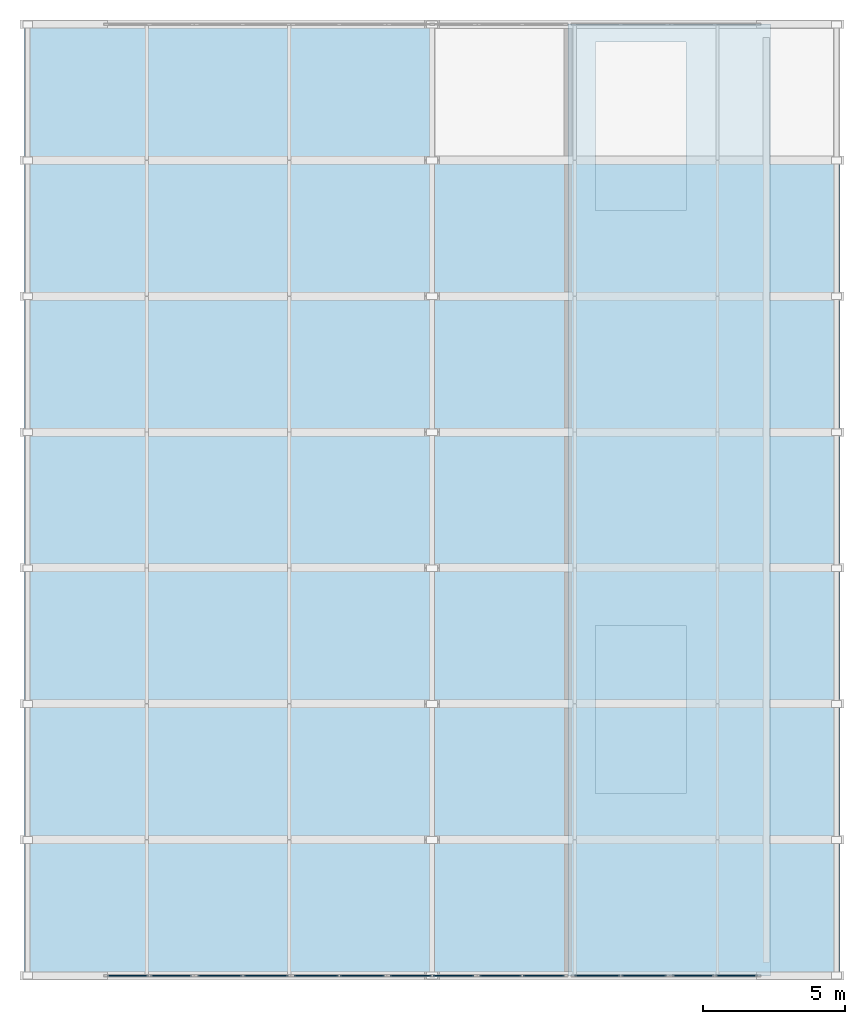
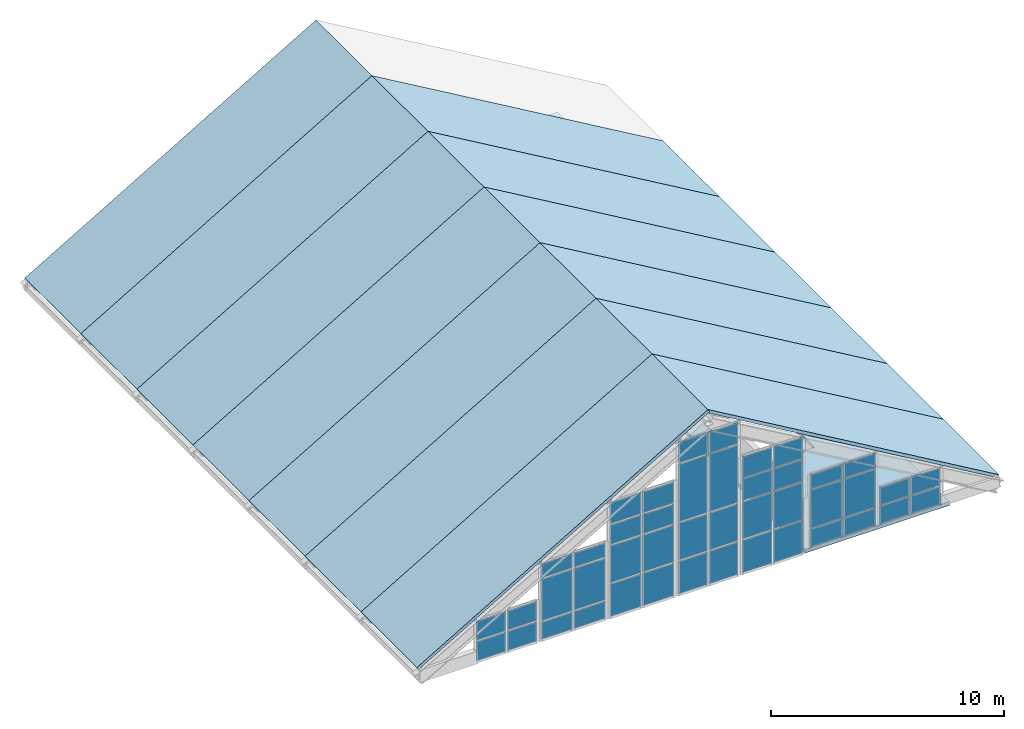
# One storey, part 5 of 7: 44 plates, 14 slabs, 7 elements without a shape of their own.
"""IFC4 building model written with IfcOpenShell, lengths in metres."""

from ifc_helpers import new_model, si_unit, direction, frame, origin, origin_2d, place, context, subcontext, project, spatial, polyline, rectangle, outline, extrude, material, layer, layer_set, type_object, element, aggregate, save


model = new_model("IFC4")

# Units and contexts
model_context = context("Model", 3, precision=1e-05, world=origin(), true_north=direction((0.0, 1.0)))
body_context = subcontext(model_context, "Body", "Model", "MODEL_VIEW")
ifc_project = project(units=[si_unit("LENGTHUNIT", "METRE"), si_unit("AREAUNIT", "SQUARE_METRE"), si_unit("VOLUMEUNIT", "CUBIC_METRE"), si_unit("PLANEANGLEUNIT", "RADIAN"), si_unit("MASSUNIT", "GRAM", prefix="KILO")], contexts=[model_context])

# Site, building, storey
site_placement = place(None, origin())
site = spatial("IfcSite", under=ifc_project, at=site_placement, CompositionType="ELEMENT")
building_placement = place(site_placement, origin())
building = spatial("IfcBuilding", under=site, at=building_placement, Name="Nordkorset Police Headquarters", CompositionType="ELEMENT")
storey_placement = place(building_placement, frame((0.0, 0.0, 36.050048828125)))
storey = spatial("IfcBuildingStorey", under=building, at=storey_placement, Name="RF", CompositionType="ELEMENT", Elevation=36.050048828125)

# Curtain wall, plates
ifc_material_1 = material(Name="Aluminium alloy AW-6060", Category="aluminium")
ifc_layer_1 = layer(ifc_material_1, 0.179931640625, Name="Aluminium alloy AW-6060")
ifc_layer_set_1 = layer_set([ifc_layer_1], Name="Aluminium alloy AW-6060")
curtain_wall_type_1 = type_object("IfcCurtainWallType", Name="CW_Unit_312x221", PredefinedType="USERDEFINED", material=ifc_layer_set_1)
curtain_wall_1_placement = place(storey_placement, origin())
curtain_wall_1 = element("IfcCurtainWall", 1, at=curtain_wall_1_placement, inside=storey, type_object=curtain_wall_type_1, Name="Unitised Curtain Wall RF V1GBL-S-G1", ObjectType="UNITISED CURTAIN WALL", PredefinedType="USERDEFINED")
ifc_material_2 = material(Name="Low-iron triple glazing", Category="glass")
ifc_layer_2 = layer(ifc_material_2, 0.035888671875, Name="Low-iron triple glazing")
ifc_layer_set_2 = layer_set([ifc_layer_2], Name="Low-iron triple glazing")
plate_type = type_object("IfcPlateType", Name="CW_Panel_TripleGlazing_36", PredefinedType="CURTAIN_PANEL", material=ifc_layer_set_2)
plate_1_placement = place(storey_placement, frame((3.65625, 83.199951171875, -0.125), z_axis=(0.0, 0.0, 1.0), x_axis=(1.0, 0.0, 0.0)))
plate_1 = element("IfcPlate", 2, at=plate_1_placement, type_object=plate_type, Name="CW-43 panel 1.1", PredefinedType="CURTAIN_PANEL", context=body_context, shape_type="SweptSolid", body=[
    extrude(rectangle(XDim=1.46240234375, YDim=0.035888671875, at=origin_2d()), origin(), (0.0, 0.0, 1.0), 1.00830078125),
])
plate_2_placement = place(storey_placement, frame((3.65625, 83.199951171875, 0.9482421875), z_axis=(0.0, 0.0, 1.0), x_axis=(1.0, 0.0, 0.0)))
plate_2 = element("IfcPlate", 3, at=plate_2_placement, type_object=plate_type, Name="CW-43 panel 1.2", PredefinedType="CURTAIN_PANEL", context=body_context, shape_type="SweptSolid", body=[
    extrude(rectangle(XDim=1.46240234375, YDim=0.035888671875, at=origin_2d()), origin(), (0.0, 0.0, 1.0), 1.00830078125),
])
plate_3_placement = place(storey_placement, frame((5.183837890625, 83.199951171875, -0.125), z_axis=(0.0, 0.0, 1.0), x_axis=(1.0, 0.0, 0.0)))
plate_3 = element("IfcPlate", 4, at=plate_3_placement, type_object=plate_type, Name="CW-43 panel 2.1", PredefinedType="CURTAIN_PANEL", context=body_context, shape_type="SweptSolid", body=[
    extrude(rectangle(XDim=1.46240234375, YDim=0.035888671875, at=origin_2d()), origin(), (0.0, 0.0, 1.0), 1.00830078125),
])
plate_4_placement = place(storey_placement, frame((5.183837890625, 83.199951171875, 0.9482421875), z_axis=(0.0, 0.0, 1.0), x_axis=(1.0, 0.0, 0.0)))
plate_4 = element("IfcPlate", 5, at=plate_4_placement, type_object=plate_type, Name="CW-43 panel 2.2", PredefinedType="CURTAIN_PANEL", context=body_context, shape_type="SweptSolid", body=[
    extrude(rectangle(XDim=1.46240234375, YDim=0.035888671875, at=origin_2d()), origin(), (0.0, 0.0, 1.0), 1.00830078125),
])
aggregate(curtain_wall_1, [plate_1, plate_2, plate_3, plate_4])

ifc_material_3 = material(Name="Aluminium alloy AW-6060", Category="aluminium")
ifc_layer_3 = layer(ifc_material_3, 0.179931640625, Name="Aluminium alloy AW-6060")
ifc_layer_set_3 = layer_set([ifc_layer_3], Name="Aluminium alloy AW-6060")
curtain_wall_type_2 = type_object("IfcCurtainWallType", Name="CW_Unit_332x409", PredefinedType="USERDEFINED", material=ifc_layer_set_3)
curtain_wall_2_placement = place(storey_placement, origin())
curtain_wall_2 = element("IfcCurtainWall", 6, at=curtain_wall_2_placement, inside=storey, type_object=curtain_wall_type_2, Name="Unitised Curtain Wall RF V1GBL-S-G2", ObjectType="UNITISED CURTAIN WALL", PredefinedType="USERDEFINED")
plate_5_placement = place(storey_placement, frame((6.90625, 83.199951171875, -0.125), z_axis=(0.0, 0.0, 1.0), x_axis=(1.0, 0.0, 0.0)))
plate_5 = element("IfcPlate", 7, at=plate_5_placement, type_object=plate_type, Name="CW-37 panel 1.1", PredefinedType="CURTAIN_PANEL", context=body_context, shape_type="SweptSolid", body=[
    extrude(rectangle(XDim=1.5625, YDim=0.035888671875, at=origin_2d()), origin(), (0.0, 0.0, 1.0), 0.902587890625),
])
plate_6_placement = place(storey_placement, frame((6.90625, 83.199951171875, 0.842529296875), z_axis=(0.0, 0.0, 1.0), x_axis=(1.0, 0.0, 0.0)))
plate_6 = element("IfcPlate", 8, at=plate_6_placement, type_object=plate_type, Name="CW-37 panel 1.2", PredefinedType="CURTAIN_PANEL", context=body_context, shape_type="SweptSolid", body=[
    extrude(rectangle(XDim=1.5625, YDim=0.035888671875, at=origin_2d()), origin(), (0.0, 0.0, 1.0), 2.17431640625),
])
plate_7_placement = place(storey_placement, frame((6.90625, 83.199951171875, 3.081787109375), z_axis=(0.0, 0.0, 1.0), x_axis=(1.0, 0.0, 0.0)))
plate_7 = element("IfcPlate", 9, at=plate_7_placement, type_object=plate_type, Name="CW-37 panel 1.3", PredefinedType="CURTAIN_PANEL", context=body_context, shape_type="SweptSolid", body=[
    extrude(rectangle(XDim=1.5625, YDim=0.035888671875, at=origin_2d()), origin(), (0.0, 0.0, 1.0), 0.75244140625),
])
plate_8_placement = place(storey_placement, frame((8.53369140625, 83.199951171875, -0.125), z_axis=(0.0, 0.0, 1.0), x_axis=(1.0, 0.0, 0.0)))
plate_8 = element("IfcPlate", 10, at=plate_8_placement, type_object=plate_type, Name="CW-37 panel 2.1", PredefinedType="CURTAIN_PANEL", context=body_context, shape_type="SweptSolid", body=[
    extrude(rectangle(XDim=1.5625, YDim=0.035888671875, at=origin_2d()), origin(), (0.0, 0.0, 1.0), 0.902587890625),
])
plate_9_placement = place(storey_placement, frame((8.53369140625, 83.199951171875, 0.842529296875), z_axis=(0.0, 0.0, 1.0), x_axis=(1.0, 0.0, 0.0)))
plate_9 = element("IfcPlate", 11, at=plate_9_placement, type_object=plate_type, Name="CW-37 panel 2.2", PredefinedType="CURTAIN_PANEL", context=body_context, shape_type="SweptSolid", body=[
    extrude(rectangle(XDim=1.5625, YDim=0.035888671875, at=origin_2d()), origin(), (0.0, 0.0, 1.0), 2.17431640625),
])
plate_10_placement = place(storey_placement, frame((8.53369140625, 83.199951171875, 3.081787109375), z_axis=(0.0, 0.0, 1.0), x_axis=(1.0, 0.0, 0.0)))
plate_10 = element("IfcPlate", 12, at=plate_10_placement, type_object=plate_type, Name="CW-37 panel 2.3", PredefinedType="CURTAIN_PANEL", context=body_context, shape_type="SweptSolid", body=[
    extrude(rectangle(XDim=1.5625, YDim=0.035888671875, at=origin_2d()), origin(), (0.0, 0.0, 1.0), 0.75244140625),
])
aggregate(curtain_wall_2, [plate_5, plate_6, plate_7, plate_8, plate_9, plate_10])

ifc_material_4 = material(Name="Aluminium alloy AW-6060", Category="aluminium")
ifc_layer_4 = layer(ifc_material_4, 0.179931640625, Name="Aluminium alloy AW-6060")
ifc_layer_set_4 = layer_set([ifc_layer_4], Name="Aluminium alloy AW-6060")
curtain_wall_type_3 = type_object("IfcCurtainWallType", Name="CW_Unit_332x608", PredefinedType="USERDEFINED", material=ifc_layer_set_4)
curtain_wall_3_placement = place(storey_placement, origin())
curtain_wall_3 = element("IfcCurtainWall", 13, at=curtain_wall_3_placement, inside=storey, type_object=curtain_wall_type_3, Name="Unitised Curtain Wall RF V1GBL-S-G3", ObjectType="UNITISED CURTAIN WALL", PredefinedType="USERDEFINED")
plate_11_placement = place(storey_placement, frame((10.30615234375, 83.199951171875, -0.125), z_axis=(0.0, 0.0, 1.0), x_axis=(1.0, 0.0, 0.0)))
plate_11 = element("IfcPlate", 14, at=plate_11_placement, type_object=plate_type, Name="CW-15 panel 1.1", PredefinedType="CURTAIN_PANEL", context=body_context, shape_type="SweptSolid", body=[
    extrude(rectangle(XDim=1.5625, YDim=0.035888671875, at=origin_2d()), origin(), (0.0, 0.0, 1.0), 1.702392578125),
])
plate_12_placement = place(storey_placement, frame((10.30615234375, 83.199951171875, 1.642333984375), z_axis=(0.0, 0.0, 1.0), x_axis=(1.0, 0.0, 0.0)))
plate_12 = element("IfcPlate", 15, at=plate_12_placement, type_object=plate_type, Name="CW-15 panel 1.2", PredefinedType="CURTAIN_PANEL", context=body_context, shape_type="SweptSolid", body=[
    extrude(rectangle(XDim=1.5625, YDim=0.035888671875, at=origin_2d()), origin(), (0.0, 0.0, 1.0), 1.93505859375),
])
plate_13_placement = place(storey_placement, frame((10.30615234375, 83.199951171875, 3.642578125), z_axis=(0.0, 0.0, 1.0), x_axis=(1.0, 0.0, 0.0)))
plate_13 = element("IfcPlate", 16, at=plate_13_placement, type_object=plate_type, Name="CW-15 panel 1.3", PredefinedType="CURTAIN_PANEL", context=body_context, shape_type="SweptSolid", body=[
    extrude(rectangle(XDim=1.5625, YDim=0.035888671875, at=origin_2d()), origin(), (0.0, 0.0, 1.0), 1.019287109375),
])
plate_14_placement = place(storey_placement, frame((10.30615234375, 83.199951171875, 4.726806640625), z_axis=(0.0, 0.0, 1.0), x_axis=(1.0, 0.0, 0.0)))
plate_14 = element("IfcPlate", 17, at=plate_14_placement, type_object=plate_type, Name="CW-15 panel 1.4", PredefinedType="CURTAIN_PANEL", context=body_context, shape_type="SweptSolid", body=[
    extrude(rectangle(XDim=1.5625, YDim=0.035888671875, at=origin_2d()), origin(), (0.0, 0.0, 1.0), 1.1025390625),
])
plate_15_placement = place(storey_placement, frame((11.933837890625, 83.199951171875, -0.125), z_axis=(0.0, 0.0, 1.0), x_axis=(1.0, 0.0, 0.0)))
plate_15 = element("IfcPlate", 18, at=plate_15_placement, type_object=plate_type, Name="CW-15 panel 2.1", PredefinedType="CURTAIN_PANEL", context=body_context, shape_type="SweptSolid", body=[
    extrude(rectangle(XDim=1.5625, YDim=0.035888671875, at=origin_2d()), origin(), (0.0, 0.0, 1.0), 1.702392578125),
])
plate_16_placement = place(storey_placement, frame((11.933837890625, 83.199951171875, 1.642333984375), z_axis=(0.0, 0.0, 1.0), x_axis=(1.0, 0.0, 0.0)))
plate_16 = element("IfcPlate", 19, at=plate_16_placement, type_object=plate_type, Name="CW-15 panel 2.2", PredefinedType="CURTAIN_PANEL", context=body_context, shape_type="SweptSolid", body=[
    extrude(rectangle(XDim=1.5625, YDim=0.035888671875, at=origin_2d()), origin(), (0.0, 0.0, 1.0), 1.93505859375),
])
plate_17_placement = place(storey_placement, frame((11.933837890625, 83.199951171875, 3.642578125), z_axis=(0.0, 0.0, 1.0), x_axis=(1.0, 0.0, 0.0)))
plate_17 = element("IfcPlate", 20, at=plate_17_placement, type_object=plate_type, Name="CW-15 panel 2.3", PredefinedType="CURTAIN_PANEL", context=body_context, shape_type="SweptSolid", body=[
    extrude(rectangle(XDim=1.5625, YDim=0.035888671875, at=origin_2d()), origin(), (0.0, 0.0, 1.0), 1.019287109375),
])
plate_18_placement = place(storey_placement, frame((11.933837890625, 83.199951171875, 4.726806640625), z_axis=(0.0, 0.0, 1.0), x_axis=(1.0, 0.0, 0.0)))
plate_18 = element("IfcPlate", 21, at=plate_18_placement, type_object=plate_type, Name="CW-15 panel 2.4", PredefinedType="CURTAIN_PANEL", context=body_context, shape_type="SweptSolid", body=[
    extrude(rectangle(XDim=1.5625, YDim=0.035888671875, at=origin_2d()), origin(), (0.0, 0.0, 1.0), 1.1025390625),
])
aggregate(curtain_wall_3, [plate_11, plate_12, plate_13, plate_14, plate_15, plate_16, plate_17, plate_18])

ifc_material_5 = material(Name="Aluminium alloy AW-6060", Category="aluminium")
ifc_layer_5 = layer(ifc_material_5, 0.179931640625, Name="Aluminium alloy AW-6060")
ifc_layer_set_5 = layer_set([ifc_layer_5], Name="Aluminium alloy AW-6060")
curtain_wall_type_4 = type_object("IfcCurtainWallType", Name="CW_Unit_308x808", PredefinedType="USERDEFINED", material=ifc_layer_set_5)
curtain_wall_4_placement = place(storey_placement, origin())
curtain_wall_4 = element("IfcCurtainWall", 22, at=curtain_wall_4_placement, inside=storey, type_object=curtain_wall_type_4, Name="Unitised Curtain Wall RF V1GBL-S-G4", ObjectType="UNITISED CURTAIN WALL", PredefinedType="USERDEFINED")
plate_19_placement = place(storey_placement, frame((13.646240234375, 83.199951171875, -0.125), z_axis=(0.0, 0.0, 1.0), x_axis=(1.0, 0.0, 0.0)))
plate_19 = element("IfcPlate", 23, at=plate_19_placement, type_object=plate_type, Name="CW-30 panel 1.1", PredefinedType="CURTAIN_PANEL", context=body_context, shape_type="SweptSolid", body=[
    extrude(rectangle(XDim=1.4423828125, YDim=0.035888671875, at=origin_2d()), origin(), (0.0, 0.0, 1.0), 1.702392578125),
])
plate_20_placement = place(storey_placement, frame((13.646240234375, 83.199951171875, 1.642333984375), z_axis=(0.0, 0.0, 1.0), x_axis=(1.0, 0.0, 0.0)))
plate_20 = element("IfcPlate", 24, at=plate_20_placement, type_object=plate_type, Name="CW-30 panel 1.2", PredefinedType="CURTAIN_PANEL", context=body_context, shape_type="SweptSolid", body=[
    extrude(rectangle(XDim=1.4423828125, YDim=0.035888671875, at=origin_2d()), origin(), (0.0, 0.0, 1.0), 1.93505859375),
])
plate_21_placement = place(storey_placement, frame((13.646240234375, 83.199951171875, 3.642333984375), z_axis=(0.0, 0.0, 1.0), x_axis=(1.0, 0.0, 0.0)))
plate_21 = element("IfcPlate", 25, at=plate_21_placement, type_object=plate_type, Name="CW-30 panel 1.3", PredefinedType="CURTAIN_PANEL", context=body_context, shape_type="SweptSolid", body=[
    extrude(rectangle(XDim=1.4423828125, YDim=0.035888671875, at=origin_2d()), origin(), (0.0, 0.0, 1.0), 3.0146484375),
])
plate_22_placement = place(storey_placement, frame((13.646240234375, 83.199951171875, 6.721923828125), z_axis=(0.0, 0.0, 1.0), x_axis=(1.0, 0.0, 0.0)))
plate_22 = element("IfcPlate", 26, at=plate_22_placement, type_object=plate_type, Name="CW-30 panel 1.4", PredefinedType="CURTAIN_PANEL", context=body_context, shape_type="SweptSolid", body=[
    extrude(rectangle(XDim=1.4423828125, YDim=0.035888671875, at=origin_2d()), origin(), (0.0, 0.0, 1.0), 1.1025390625),
])
plate_23_placement = place(storey_placement, frame((15.15380859375, 83.199951171875, -0.125), z_axis=(0.0, 0.0, 1.0), x_axis=(1.0, 0.0, 0.0)))
plate_23 = element("IfcPlate", 27, at=plate_23_placement, type_object=plate_type, Name="CW-30 panel 2.1", PredefinedType="CURTAIN_PANEL", context=body_context, shape_type="SweptSolid", body=[
    extrude(rectangle(XDim=1.4423828125, YDim=0.035888671875, at=origin_2d()), origin(), (0.0, 0.0, 1.0), 1.702392578125),
])
plate_24_placement = place(storey_placement, frame((15.15380859375, 83.199951171875, 1.642333984375), z_axis=(0.0, 0.0, 1.0), x_axis=(1.0, 0.0, 0.0)))
plate_24 = element("IfcPlate", 28, at=plate_24_placement, type_object=plate_type, Name="CW-30 panel 2.2", PredefinedType="CURTAIN_PANEL", context=body_context, shape_type="SweptSolid", body=[
    extrude(rectangle(XDim=1.4423828125, YDim=0.035888671875, at=origin_2d()), origin(), (0.0, 0.0, 1.0), 1.93505859375),
])
plate_25_placement = place(storey_placement, frame((15.15380859375, 83.199951171875, 3.642333984375), z_axis=(0.0, 0.0, 1.0), x_axis=(1.0, 0.0, 0.0)))
plate_25 = element("IfcPlate", 29, at=plate_25_placement, type_object=plate_type, Name="CW-30 panel 2.3", PredefinedType="CURTAIN_PANEL", context=body_context, shape_type="SweptSolid", body=[
    extrude(rectangle(XDim=1.4423828125, YDim=0.035888671875, at=origin_2d()), origin(), (0.0, 0.0, 1.0), 3.0146484375),
])
plate_26_placement = place(storey_placement, frame((15.15380859375, 83.199951171875, 6.721923828125), z_axis=(0.0, 0.0, 1.0), x_axis=(1.0, 0.0, 0.0)))
plate_26 = element("IfcPlate", 30, at=plate_26_placement, type_object=plate_type, Name="CW-30 panel 2.4", PredefinedType="CURTAIN_PANEL", context=body_context, shape_type="SweptSolid", body=[
    extrude(rectangle(XDim=1.4423828125, YDim=0.035888671875, at=origin_2d()), origin(), (0.0, 0.0, 1.0), 1.1025390625),
])
aggregate(curtain_wall_4, [plate_19, plate_20, plate_21, plate_22, plate_23, plate_24, plate_25, plate_26])

ifc_material_6 = material(Name="Aluminium alloy AW-6060", Category="aluminium")
ifc_layer_6 = layer(ifc_material_6, 0.179931640625, Name="Aluminium alloy AW-6060")
ifc_layer_set_6 = layer_set([ifc_layer_6], Name="Aluminium alloy AW-6060")
curtain_wall_type_5 = type_object("IfcCurtainWallType", Name="CW_Unit_312x620", PredefinedType="USERDEFINED", material=ifc_layer_set_6)
curtain_wall_5_placement = place(storey_placement, origin())
curtain_wall_5 = element("IfcCurtainWall", 31, at=curtain_wall_5_placement, inside=storey, type_object=curtain_wall_type_5, Name="Unitised Curtain Wall RF V1GBL-S-G5", ObjectType="UNITISED CURTAIN WALL", PredefinedType="USERDEFINED")
plate_27_placement = place(storey_placement, frame((16.816162109375, 83.199951171875, -0.125), z_axis=(0.0, 0.0, 1.0), x_axis=(1.0, 0.0, 0.0)))
plate_27 = element("IfcPlate", 32, at=plate_27_placement, type_object=plate_type, Name="CW-44 panel 1.1", PredefinedType="CURTAIN_PANEL", context=body_context, shape_type="SweptSolid", body=[
    extrude(rectangle(XDim=1.46240234375, YDim=0.035888671875, at=origin_2d()), origin(), (0.0, 0.0, 1.0), 1.702392578125),
])
plate_28_placement = place(storey_placement, frame((16.816162109375, 83.199951171875, 1.642333984375), z_axis=(0.0, 0.0, 1.0), x_axis=(1.0, 0.0, 0.0)))
plate_28 = element("IfcPlate", 33, at=plate_28_placement, type_object=plate_type, Name="CW-44 panel 1.2", PredefinedType="CURTAIN_PANEL", context=body_context, shape_type="SweptSolid", body=[
    extrude(rectangle(XDim=1.46240234375, YDim=0.035888671875, at=origin_2d()), origin(), (0.0, 0.0, 1.0), 1.93505859375),
])
plate_29_placement = place(storey_placement, frame((16.816162109375, 83.199951171875, 3.642578125), z_axis=(0.0, 0.0, 1.0), x_axis=(1.0, 0.0, 0.0)))
plate_29 = element("IfcPlate", 34, at=plate_29_placement, type_object=plate_type, Name="CW-44 panel 1.3", PredefinedType="CURTAIN_PANEL", context=body_context, shape_type="SweptSolid", body=[
    extrude(rectangle(XDim=1.46240234375, YDim=0.035888671875, at=origin_2d()), origin(), (0.0, 0.0, 1.0), 1.13671875),
])
plate_30_placement = place(storey_placement, frame((16.816162109375, 83.199951171875, 4.84423828125), z_axis=(0.0, 0.0, 1.0), x_axis=(1.0, 0.0, 0.0)))
plate_30 = element("IfcPlate", 35, at=plate_30_placement, type_object=plate_type, Name="CW-44 panel 1.4", PredefinedType="CURTAIN_PANEL", context=body_context, shape_type="SweptSolid", body=[
    extrude(rectangle(XDim=1.46240234375, YDim=0.035888671875, at=origin_2d()), origin(), (0.0, 0.0, 1.0), 1.1025390625),
])
plate_31_placement = place(storey_placement, frame((18.34375, 83.199951171875, -0.125), z_axis=(0.0, 0.0, 1.0), x_axis=(1.0, 0.0, 0.0)))
plate_31 = element("IfcPlate", 36, at=plate_31_placement, type_object=plate_type, Name="CW-44 panel 2.1", PredefinedType="CURTAIN_PANEL", context=body_context, shape_type="SweptSolid", body=[
    extrude(rectangle(XDim=1.46240234375, YDim=0.035888671875, at=origin_2d()), origin(), (0.0, 0.0, 1.0), 1.702392578125),
])
plate_32_placement = place(storey_placement, frame((18.34375, 83.199951171875, 1.642333984375), z_axis=(0.0, 0.0, 1.0), x_axis=(1.0, 0.0, 0.0)))
plate_32 = element("IfcPlate", 37, at=plate_32_placement, type_object=plate_type, Name="CW-44 panel 2.2", PredefinedType="CURTAIN_PANEL", context=body_context, shape_type="SweptSolid", body=[
    extrude(rectangle(XDim=1.46240234375, YDim=0.035888671875, at=origin_2d()), origin(), (0.0, 0.0, 1.0), 1.93505859375),
])
plate_33_placement = place(storey_placement, frame((18.34375, 83.199951171875, 3.642578125), z_axis=(0.0, 0.0, 1.0), x_axis=(1.0, 0.0, 0.0)))
plate_33 = element("IfcPlate", 38, at=plate_33_placement, type_object=plate_type, Name="CW-44 panel 2.3", PredefinedType="CURTAIN_PANEL", context=body_context, shape_type="SweptSolid", body=[
    extrude(rectangle(XDim=1.46240234375, YDim=0.035888671875, at=origin_2d()), origin(), (0.0, 0.0, 1.0), 1.13671875),
])
plate_34_placement = place(storey_placement, frame((18.34375, 83.199951171875, 4.84423828125), z_axis=(0.0, 0.0, 1.0), x_axis=(1.0, 0.0, 0.0)))
plate_34 = element("IfcPlate", 39, at=plate_34_placement, type_object=plate_type, Name="CW-44 panel 2.4", PredefinedType="CURTAIN_PANEL", context=body_context, shape_type="SweptSolid", body=[
    extrude(rectangle(XDim=1.46240234375, YDim=0.035888671875, at=origin_2d()), origin(), (0.0, 0.0, 1.0), 1.1025390625),
])
aggregate(curtain_wall_5, [plate_27, plate_28, plate_29, plate_30, plate_31, plate_32, plate_33, plate_34])

ifc_material_7 = material(Name="Aluminium alloy AW-6060", Category="aluminium")
ifc_layer_7 = layer(ifc_material_7, 0.179931640625, Name="Aluminium alloy AW-6060")
ifc_layer_set_7 = layer_set([ifc_layer_7], Name="Aluminium alloy AW-6060")
curtain_wall_type_6 = type_object("IfcCurtainWallType", Name="CW_Unit_336x390", PredefinedType="USERDEFINED", material=ifc_layer_set_7)
curtain_wall_6_placement = place(storey_placement, origin())
curtain_wall_6 = element("IfcCurtainWall", 40, at=curtain_wall_6_placement, inside=storey, type_object=curtain_wall_type_6, Name="Unitised Curtain Wall RF V1GBL-S-G6", ObjectType="UNITISED CURTAIN WALL", PredefinedType="USERDEFINED")
plate_35_placement = place(storey_placement, frame((20.236328125, 83.199951171875, 0.06494140625), z_axis=(0.0, 0.0, 1.0), x_axis=(1.0, 0.0, 0.0)))
plate_35 = element("IfcPlate", 41, at=plate_35_placement, type_object=plate_type, Name="CW-62 panel 1.1", PredefinedType="CURTAIN_PANEL", context=body_context, shape_type="SweptSolid", body=[
    extrude(rectangle(XDim=1.58251953125, YDim=0.035888671875, at=origin_2d()), origin(), (0.0, 0.0, 1.0), 0.902587890625),
])
plate_36_placement = place(storey_placement, frame((20.236328125, 83.199951171875, 1.032470703125), z_axis=(0.0, 0.0, 1.0), x_axis=(1.0, 0.0, 0.0)))
plate_36 = element("IfcPlate", 42, at=plate_36_placement, type_object=plate_type, Name="CW-62 panel 1.2", PredefinedType="CURTAIN_PANEL", context=body_context, shape_type="SweptSolid", body=[
    extrude(rectangle(XDim=1.58251953125, YDim=0.035888671875, at=origin_2d()), origin(), (0.0, 0.0, 1.0), 1.984375),
])
plate_37_placement = place(storey_placement, frame((20.236328125, 83.199951171875, 3.081787109375), z_axis=(0.0, 0.0, 1.0), x_axis=(1.0, 0.0, 0.0)))
plate_37 = element("IfcPlate", 43, at=plate_37_placement, type_object=plate_type, Name="CW-62 panel 1.3", PredefinedType="CURTAIN_PANEL", context=body_context, shape_type="SweptSolid", body=[
    extrude(rectangle(XDim=1.58251953125, YDim=0.035888671875, at=origin_2d()), origin(), (0.0, 0.0, 1.0), 0.75244140625),
])
plate_38_placement = place(storey_placement, frame((21.8837890625, 83.199951171875, 0.06494140625), z_axis=(0.0, 0.0, 1.0), x_axis=(1.0, 0.0, 0.0)))
plate_38 = element("IfcPlate", 44, at=plate_38_placement, type_object=plate_type, Name="CW-62 panel 2.1", PredefinedType="CURTAIN_PANEL", context=body_context, shape_type="SweptSolid", body=[
    extrude(rectangle(XDim=1.58251953125, YDim=0.035888671875, at=origin_2d()), origin(), (0.0, 0.0, 1.0), 0.902587890625),
])
plate_39_placement = place(storey_placement, frame((21.8837890625, 83.199951171875, 1.032470703125), z_axis=(0.0, 0.0, 1.0), x_axis=(1.0, 0.0, 0.0)))
plate_39 = element("IfcPlate", 45, at=plate_39_placement, type_object=plate_type, Name="CW-62 panel 2.2", PredefinedType="CURTAIN_PANEL", context=body_context, shape_type="SweptSolid", body=[
    extrude(rectangle(XDim=1.58251953125, YDim=0.035888671875, at=origin_2d()), origin(), (0.0, 0.0, 1.0), 1.984375),
])
plate_40_placement = place(storey_placement, frame((21.8837890625, 83.199951171875, 3.081787109375), z_axis=(0.0, 0.0, 1.0), x_axis=(1.0, 0.0, 0.0)))
plate_40 = element("IfcPlate", 46, at=plate_40_placement, type_object=plate_type, Name="CW-62 panel 2.3", PredefinedType="CURTAIN_PANEL", context=body_context, shape_type="SweptSolid", body=[
    extrude(rectangle(XDim=1.58251953125, YDim=0.035888671875, at=origin_2d()), origin(), (0.0, 0.0, 1.0), 0.75244140625),
])
aggregate(curtain_wall_6, [plate_35, plate_36, plate_37, plate_38, plate_39, plate_40])

ifc_material_8 = material(Name="Aluminium alloy AW-6060", Category="aluminium")
ifc_layer_8 = layer(ifc_material_8, 0.179931640625, Name="Aluminium alloy AW-6060")
ifc_layer_set_8 = layer_set([ifc_layer_8], Name="Aluminium alloy AW-6060")
curtain_wall_type_7 = type_object("IfcCurtainWallType", Name="CW_Unit_312x202", PredefinedType="USERDEFINED", material=ifc_layer_set_8)
curtain_wall_7_placement = place(storey_placement, origin())
curtain_wall_7 = element("IfcCurtainWall", 47, at=curtain_wall_7_placement, inside=storey, type_object=curtain_wall_type_7, Name="Unitised Curtain Wall RF V1GBL-S-G7", ObjectType="UNITISED CURTAIN WALL", PredefinedType="USERDEFINED")
plate_41_placement = place(storey_placement, frame((23.6162109375, 83.199951171875, 0.06494140625), z_axis=(0.0, 0.0, 1.0), x_axis=(1.0, 0.0, 0.0)))
plate_41 = element("IfcPlate", 48, at=plate_41_placement, type_object=plate_type, Name="CW-27 panel 1.1", PredefinedType="CURTAIN_PANEL", context=body_context, shape_type="SweptSolid", body=[
    extrude(rectangle(XDim=1.46240234375, YDim=0.035888671875, at=origin_2d()), origin(), (0.0, 0.0, 1.0), 0.9130859375),
])
plate_42_placement = place(storey_placement, frame((23.6162109375, 83.199951171875, 1.04296875), z_axis=(0.0, 0.0, 1.0), x_axis=(1.0, 0.0, 0.0)))
plate_42 = element("IfcPlate", 49, at=plate_42_placement, type_object=plate_type, Name="CW-27 panel 1.2", PredefinedType="CURTAIN_PANEL", context=body_context, shape_type="SweptSolid", body=[
    extrude(rectangle(XDim=1.46240234375, YDim=0.035888671875, at=origin_2d()), origin(), (0.0, 0.0, 1.0), 0.913330078125),
])
plate_43_placement = place(storey_placement, frame((25.143798828125, 83.199951171875, 0.06494140625), z_axis=(0.0, 0.0, 1.0), x_axis=(1.0, 0.0, 0.0)))
plate_43 = element("IfcPlate", 50, at=plate_43_placement, type_object=plate_type, Name="CW-27 panel 2.1", PredefinedType="CURTAIN_PANEL", context=body_context, shape_type="SweptSolid", body=[
    extrude(rectangle(XDim=1.46240234375, YDim=0.035888671875, at=origin_2d()), origin(), (0.0, 0.0, 1.0), 0.9130859375),
])
plate_44_placement = place(storey_placement, frame((25.143798828125, 83.199951171875, 1.04296875), z_axis=(0.0, 0.0, 1.0), x_axis=(1.0, 0.0, 0.0)))
plate_44 = element("IfcPlate", 51, at=plate_44_placement, type_object=plate_type, Name="CW-27 panel 2.2", PredefinedType="CURTAIN_PANEL", context=body_context, shape_type="SweptSolid", body=[
    extrude(rectangle(XDim=1.46240234375, YDim=0.035888671875, at=origin_2d()), origin(), (0.0, 0.0, 1.0), 0.913330078125),
])
aggregate(curtain_wall_7, [plate_41, plate_42, plate_43, plate_44])

# Slabs
ifc_material_9 = material(Name="Concrete C35/45", Category="concrete")
ifc_layer_9 = layer(ifc_material_9, 0.18994140625, Name="Concrete C35/45")
ifc_layer_set_9 = layer_set([ifc_layer_9], Name="Concrete C35/45")
slab_type_1 = type_object("IfcSlabType", Name="Slab_HeadhouseRoof_190", PredefinedType="ROOF", material=ifc_layer_set_9)
slab_1_placement = place(storey_placement, frame((0.0, 0.0, -0.18994140625)))
element("IfcSlab", 52, at=slab_1_placement, inside=storey, type_object=slab_type_1, Name="Roof Eaves Maintenance Gallery Slab RF", PredefinedType="ROOF", context=body_context, shape_type="SweptSolid", body=[
    extrude(outline(polyline([(26.35009765625, 116.800048828125), (26.35009765625, 83.199951171875), (19.199951171875, 83.199951171875), (19.199951171875, 116.800048828125), (26.35009765625, 116.800048828125)]), holes=[polyline([(20.175048828125, 116.175048828125), (20.175048828125, 110.22802734375), (23.375, 110.22802734375), (23.375, 116.175048828125), (20.175048828125, 116.175048828125)]), polyline([(23.375, 95.574951171875), (20.175048828125, 95.574951171875), (20.175048828125, 89.6279296875), (23.375, 89.6279296875), (23.375, 95.574951171875)])]), origin(), (0.0, 0.0, 1.0), 0.18994140625),
])
ifc_material_10 = material(Name="Concrete C35/45", Category="concrete")
ifc_layer_10 = layer(ifc_material_10, 0.155029296875, Name="Concrete C35/45")
ifc_layer_set_10 = layer_set([ifc_layer_10], Name="Concrete C35/45")
slab_type_2 = type_object("IfcSlabType", Name="Slab_RoofGable_155", PredefinedType="ROOF", material=ifc_layer_set_10)
slab_2_placement = place(storey_placement, frame((0.0, 83.199951171875, 0.550048828125), z_axis=(-0.506104102449, 0.0, 0.8624723981), x_axis=(0.8624723981, 0.0, 0.506104102449)))
element("IfcSlab", 53, at=slab_2_placement, inside=storey, type_object=slab_type_2, Name="Folded-Plate Gabled Glass Roof Deck West Bay 1", PredefinedType="ROOF", context=body_context, shape_type="SweptSolid", body=[
    extrude(outline(polyline([(0.0, 0.0), (16.69607326039894, 0.0), (16.69607326039894, 4.800048828125), (0.0, 4.800048828125), (0.0, 0.0)])), origin(), (0.0, 0.0, -1.0), 0.155029296875),
])
slab_3_placement = place(storey_placement, frame((14.39990234375, 83.199951171875, 9.0), z_axis=(0.506097719722, 0.0, 0.862476143491), x_axis=(0.862476143491, 0.0, -0.506097719722)))
element("IfcSlab", 54, at=slab_3_placement, inside=storey, type_object=slab_type_2, Name="Folded-Plate Gabled Glass Roof Deck East Bay 1", PredefinedType="ROOF", context=body_context, shape_type="SweptSolid", body=[
    extrude(outline(polyline([(0.0, 0.0), (16.69628382540646, 0.0), (16.69628382540646, 4.800048828125), (0.0, 4.800048828125), (0.0, 0.0)])), origin(), (0.0, 0.0, -1.0), 0.155029296875),
])
slab_4_placement = place(storey_placement, frame((0.0, 88.0, 0.550048828125), z_axis=(-0.506104102449, 0.0, 0.8624723981), x_axis=(0.8624723981, 0.0, 0.506104102449)))
element("IfcSlab", 55, at=slab_4_placement, inside=storey, type_object=slab_type_2, Name="Folded-Plate Gabled Glass Roof Deck West Bay 2", PredefinedType="ROOF", context=body_context, shape_type="SweptSolid", body=[
    extrude(outline(polyline([(0.0, 0.0), (16.69607326039894, 0.0), (16.69607326039894, 4.800048828125), (0.0, 4.800048828125), (0.0, 0.0)])), origin(), (0.0, 0.0, -1.0), 0.155029296875),
])
slab_5_placement = place(storey_placement, frame((14.39990234375, 88.0, 9.0), z_axis=(0.506097719722, 0.0, 0.862476143491), x_axis=(0.862476143491, 0.0, -0.506097719722)))
element("IfcSlab", 56, at=slab_5_placement, inside=storey, type_object=slab_type_2, Name="Folded-Plate Gabled Glass Roof Deck East Bay 2", PredefinedType="ROOF", context=body_context, shape_type="SweptSolid", body=[
    extrude(outline(polyline([(0.0, 0.0), (16.69628382540646, 0.0), (16.69628382540646, 4.800048828125), (0.0, 4.800048828125), (0.0, 0.0)])), origin(), (0.0, 0.0, -1.0), 0.155029296875),
])
slab_6_placement = place(storey_placement, frame((0.0, 92.800048828125, 0.550048828125), z_axis=(-0.506104102449, 0.0, 0.8624723981), x_axis=(0.8624723981, 0.0, 0.506104102449)))
element("IfcSlab", 57, at=slab_6_placement, inside=storey, type_object=slab_type_2, Name="Folded-Plate Gabled Glass Roof Deck West Bay 3", PredefinedType="ROOF", context=body_context, shape_type="SweptSolid", body=[
    extrude(outline(polyline([(0.0, 0.0), (16.69607326039894, 0.0), (16.69607326039894, 4.800048828125), (0.0, 4.800048828125), (0.0, 0.0)])), origin(), (0.0, 0.0, -1.0), 0.155029296875),
])
slab_7_placement = place(storey_placement, frame((14.39990234375, 92.800048828125, 9.0), z_axis=(0.506097719722, 0.0, 0.862476143491), x_axis=(0.862476143491, 0.0, -0.506097719722)))
element("IfcSlab", 58, at=slab_7_placement, inside=storey, type_object=slab_type_2, Name="Folded-Plate Gabled Glass Roof Deck East Bay 3", PredefinedType="ROOF", context=body_context, shape_type="SweptSolid", body=[
    extrude(outline(polyline([(0.0, 0.0), (16.69628382540646, 0.0), (16.69628382540646, 4.800048828125), (0.0, 4.800048828125), (0.0, 0.0)])), origin(), (0.0, 0.0, -1.0), 0.155029296875),
])
slab_8_placement = place(storey_placement, frame((0.0, 97.60009765625, 0.550048828125), z_axis=(-0.506104102449, 0.0, 0.8624723981), x_axis=(0.8624723981, 0.0, 0.506104102449)))
element("IfcSlab", 59, at=slab_8_placement, inside=storey, type_object=slab_type_2, Name="Folded-Plate Gabled Glass Roof Deck West Bay 4", PredefinedType="ROOF", context=body_context, shape_type="SweptSolid", body=[
    extrude(outline(polyline([(0.0, 0.0), (16.69607326039894, 0.0), (16.69607326039894, 4.7998046875), (0.0, 4.7998046875), (0.0, 0.0)])), origin(), (0.0, 0.0, -1.0), 0.155029296875),
])
slab_9_placement = place(storey_placement, frame((14.39990234375, 97.60009765625, 9.0), z_axis=(0.506097719722, 0.0, 0.862476143491), x_axis=(0.862476143491, 0.0, -0.506097719722)))
element("IfcSlab", 60, at=slab_9_placement, inside=storey, type_object=slab_type_2, Name="Folded-Plate Gabled Glass Roof Deck East Bay 4", PredefinedType="ROOF", context=body_context, shape_type="SweptSolid", body=[
    extrude(outline(polyline([(0.0, 0.0), (16.69628382540646, 0.0), (16.69628382540646, 4.799804687500001), (0.0, 4.799804687500001), (0.0, 0.0)])), origin(), (0.0, 0.0, -1.0), 0.155029296875),
])
slab_10_placement = place(storey_placement, frame((0.0, 102.39990234375, 0.550048828125), z_axis=(-0.506104102449, 0.0, 0.8624723981), x_axis=(0.8624723981, 0.0, 0.506104102449)))
element("IfcSlab", 61, at=slab_10_placement, inside=storey, type_object=slab_type_2, Name="Folded-Plate Gabled Glass Roof Deck West Bay 5", PredefinedType="ROOF", context=body_context, shape_type="SweptSolid", body=[
    extrude(outline(polyline([(0.0, 0.0), (16.69607326039894, 0.0), (16.69607326039894, 4.800048828125), (0.0, 4.800048828125), (0.0, 0.0)])), origin(), (0.0, 0.0, -1.0), 0.155029296875),
])
slab_11_placement = place(storey_placement, frame((14.39990234375, 102.39990234375, 9.0), z_axis=(0.506097719722, 0.0, 0.862476143491), x_axis=(0.862476143491, 0.0, -0.506097719722)))
element("IfcSlab", 62, at=slab_11_placement, inside=storey, type_object=slab_type_2, Name="Folded-Plate Gabled Glass Roof Deck East Bay 5", PredefinedType="ROOF", context=body_context, shape_type="SweptSolid", body=[
    extrude(outline(polyline([(0.0, 0.0), (16.69628382540646, 0.0), (16.69628382540646, 4.800048828125), (0.0, 4.800048828125), (0.0, 0.0)])), origin(), (0.0, 0.0, -1.0), 0.155029296875),
])
slab_12_placement = place(storey_placement, frame((0.0, 107.199951171875, 0.550048828125), z_axis=(-0.506104102449, 0.0, 0.8624723981), x_axis=(0.8624723981, 0.0, 0.506104102449)))
element("IfcSlab", 63, at=slab_12_placement, inside=storey, type_object=slab_type_2, Name="Folded-Plate Gabled Glass Roof Deck West Bay 6", PredefinedType="ROOF", context=body_context, shape_type="SweptSolid", body=[
    extrude(outline(polyline([(0.0, 0.0), (16.69607326039894, 0.0), (16.69607326039894, 4.800048828125), (0.0, 4.800048828125), (0.0, 0.0)])), origin(), (0.0, 0.0, -1.0), 0.155029296875),
])
slab_13_placement = place(storey_placement, frame((14.39990234375, 107.199951171875, 9.0), z_axis=(0.506097719722, 0.0, 0.862476143491), x_axis=(0.862476143491, 0.0, -0.506097719722)))
element("IfcSlab", 64, at=slab_13_placement, inside=storey, type_object=slab_type_2, Name="Folded-Plate Gabled Glass Roof Deck East Bay 6", PredefinedType="ROOF", context=body_context, shape_type="SweptSolid", body=[
    extrude(outline(polyline([(0.0, 0.0), (16.69628382540646, 0.0), (16.69628382540646, 4.800048828125), (0.0, 4.800048828125), (0.0, 0.0)])), origin(), (0.0, 0.0, -1.0), 0.155029296875),
])
slab_14_placement = place(storey_placement, frame((0.0, 112.0, 0.550048828125), z_axis=(-0.506104102449, 0.0, 0.8624723981), x_axis=(0.8624723981, 0.0, 0.506104102449)))
element("IfcSlab", 65, at=slab_14_placement, inside=storey, type_object=slab_type_2, Name="Folded-Plate Gabled Glass Roof Deck West Bay 7", PredefinedType="ROOF", context=body_context, shape_type="SweptSolid", body=[
    extrude(outline(polyline([(0.0, 0.0), (16.69607326039894, 0.0), (16.69607326039894, 4.800048828125), (0.0, 4.800048828125), (0.0, 0.0)])), origin(), (0.0, 0.0, -1.0), 0.155029296875),
])

save(model, "model.ifc")
